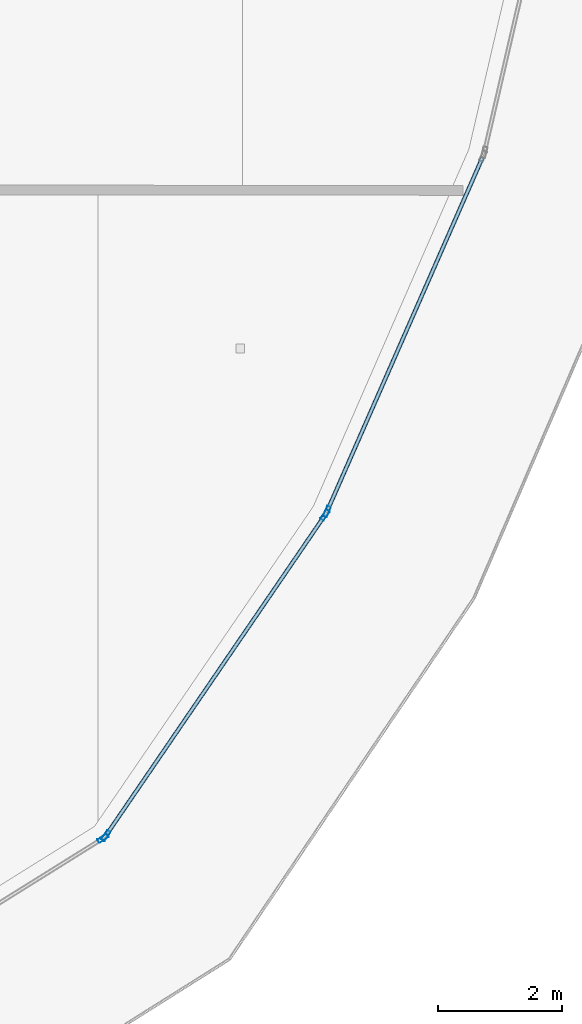
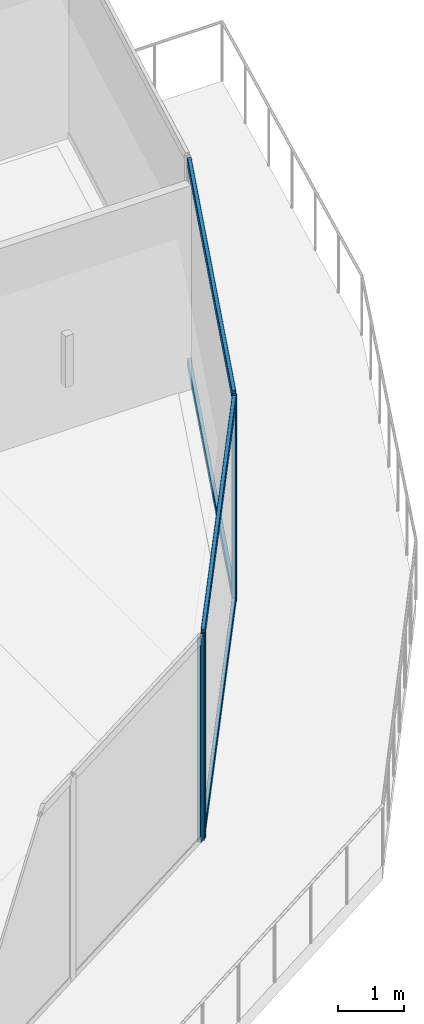
# One storey, part 11 of 37: 8 members, 3 elements without a shape of their own.
"""IFC4 building model written with IfcOpenShell, lengths in metres."""

from ifc_helpers import new_model, si_unit, direction, frame, origin, origin_2d, place, context, subcontext, project, spatial, hollow_rectangle, extrude, material, layer, layer_set, material_profile, profile_set, type_object, element, aggregate, save


model = new_model("IFC4")

# Units and contexts
model_context = context("Model", 3, precision=1e-05, world=origin(), true_north=direction((0.0, 1.0)))
body_context = subcontext(model_context, "Body", "Model", "MODEL_VIEW")
ifc_project = project(units=[si_unit("LENGTHUNIT", "METRE"), si_unit("AREAUNIT", "SQUARE_METRE"), si_unit("VOLUMEUNIT", "CUBIC_METRE"), si_unit("PLANEANGLEUNIT", "RADIAN"), si_unit("MASSUNIT", "GRAM", prefix="KILO")], contexts=[model_context])

# Site, building, storey
site_placement = place(None, origin())
site = spatial("IfcSite", under=ifc_project, at=site_placement, CompositionType="ELEMENT")
building_placement = place(site_placement, origin())
building = spatial("IfcBuilding", under=site, at=building_placement, Name="Qorvath Tower", CompositionType="ELEMENT")
storey_placement = place(building_placement, frame((0.0, 0.0, 188.85009765625)))
storey = spatial("IfcBuildingStorey", under=building, at=storey_placement, Name="L43", CompositionType="ELEMENT", Elevation=188.85009765625)

# Curtain wall, member
ifc_material_1 = material(Name="Anodised aluminium and triple low-E glass", Category="aluminium")
ifc_layer = layer(ifc_material_1, 0.179931640625)
ifc_layer_set = layer_set([ifc_layer], Name="CW-SYS-3")
curtain_wall_type = type_object("IfcCurtainWallType", Name="CW-SYS-3", PredefinedType="NOTDEFINED", material=ifc_layer_set)
curtain_wall_1_placement = place(storey_placement, origin())
curtain_wall_1 = element("IfcCurtainWall", 1, at=curtain_wall_1_placement, inside=storey, type_object=curtain_wall_type, Name="Curtain Wall CW-3 CW-T-L43-4.1", PredefinedType="NOTDEFINED")
ifc_material_2 = material(Name="Anodised aluminium 6063-T6", Category="aluminium")
ifc_material_profile_1 = material_profile(ifc_material_2, hollow_rectangle(XDim=0.06494140625, YDim=0.179931640625, WallThickness=0.00341796875, InnerFilletRadius=0.00341796875, OuterFilletRadius=0.007080078125, at=origin_2d()), Name="CWM 180x65")
ifc_profile_set_1 = profile_set([ifc_material_profile_1], Name="Anodised aluminium 6063-T6")
member_type_1 = type_object("IfcMemberType", Name="CWM-180", PredefinedType="MULLION", material=ifc_profile_set_1)
member_1_placement = place(storey_placement, frame((-5.359375, -21.82958984375, 0.0), z_axis=(0.0, 0.0, 1.0), x_axis=(-0.529252450172, 0.848464403488, 0.0)))
member_1 = element("IfcMember", 2, at=member_1_placement, type_object=member_type_1, Name="CW-3 mullion 3", PredefinedType="MULLION", context=body_context, shape_type="SweptSolid", body=[
    extrude(hollow_rectangle(XDim=0.06494140625, YDim=0.179931640625, WallThickness=0.00341796875, InnerFilletRadius=0.00341796875, OuterFilletRadius=0.007080078125, at=origin_2d()), origin(), (0.0, 0.0, 1.0), 3.77978515625),
])
aggregate(curtain_wall_1, [member_1])

# Curtain wall, members
curtain_wall_2_placement = place(storey_placement, origin())
curtain_wall_2 = element("IfcCurtainWall", 3, at=curtain_wall_2_placement, inside=storey, type_object=curtain_wall_type, Name="Curtain Wall CW-3 CW-T-L43-5.1", PredefinedType="NOTDEFINED")
member_2_placement = place(storey_placement, frame((-5.3134765625, -21.78564453125, 0.0), z_axis=(0.0, 0.0, 1.0), x_axis=(-0.825476698429, 0.564436196882, 0.0)))
member_2 = element("IfcMember", 4, at=member_2_placement, type_object=member_type_1, Name="CW-3 mullion 1", PredefinedType="MULLION", context=body_context, shape_type="SweptSolid", body=[
    extrude(hollow_rectangle(XDim=0.06494140625, YDim=0.179931640625, WallThickness=0.00341796875, InnerFilletRadius=0.00341796875, OuterFilletRadius=0.007080078125, at=origin_2d()), origin(), (0.0, 0.0, 1.0), 3.77978515625),
])
member_3_placement = place(storey_placement, frame((-1.77197265625, -16.6064453125, 0.0), z_axis=(0.0, 0.0, 1.0), x_axis=(-0.825476698429, 0.564436196882, 0.0)))
member_3 = element("IfcMember", 5, at=member_3_placement, type_object=member_type_1, Name="CW-3 mullion 2", PredefinedType="MULLION", context=body_context, shape_type="SweptSolid", body=[
    extrude(hollow_rectangle(XDim=0.06494140625, YDim=0.179931640625, WallThickness=0.00341796875, InnerFilletRadius=0.00341796875, OuterFilletRadius=0.007080078125, at=origin_2d()), origin(), (0.0, 0.0, 1.0), 3.77978515625),
])

# Curtain wall, member
curtain_wall_3_placement = place(storey_placement, origin())
curtain_wall_3 = element("IfcCurtainWall", 6, at=curtain_wall_3_placement, inside=storey, type_object=curtain_wall_type, Name="Curtain Wall CW-3 CW-T-L43-6.1", PredefinedType="NOTDEFINED")
member_4_placement = place(storey_placement, frame((-1.74072265625, -16.5498046875, 0.0), z_axis=(0.0, 0.0, 1.0), x_axis=(-0.915549117046, 0.402206183786, 0.0)))
member_4 = element("IfcMember", 7, at=member_4_placement, type_object=member_type_1, Name="CW-3 mullion 1", PredefinedType="MULLION", context=body_context, shape_type="SweptSolid", body=[
    extrude(hollow_rectangle(XDim=0.06494140625, YDim=0.179931640625, WallThickness=0.00341796875, InnerFilletRadius=0.00341796875, OuterFilletRadius=0.007080078125, at=origin_2d()), origin(), (0.0, 0.0, 1.0), 3.77978515625),
])

# Member
ifc_material_3 = material(Name="Anodised aluminium 6063-T6", Category="aluminium")
ifc_material_profile_2 = material_profile(ifc_material_3, hollow_rectangle(XDim=0.06494140625, YDim=0.159912109375, WallThickness=0.00341796875, InnerFilletRadius=0.00341796875, OuterFilletRadius=0.007080078125, at=origin_2d()), Name="CWT 160x65")
ifc_profile_set_2 = profile_set([ifc_material_profile_2], Name="Anodised aluminium 6063-T6")
member_type_2 = type_object("IfcMemberType", Name="CWT-160", PredefinedType="USERDEFINED", material=ifc_profile_set_2)
member_5_placement = place(storey_placement, frame((-5.295166015625, -21.7587890625, 0.032470703125), z_axis=(0.564461187219, 0.825459610231, 0.0), x_axis=(-0.825459610231, 0.564461187219, 0.0)))
member_5 = element("IfcMember", 8, at=member_5_placement, type_object=member_type_2, Name="CW-3 transom 1.1", ObjectType="TRANSOM", PredefinedType="USERDEFINED", context=body_context, shape_type="SweptSolid", body=[
    extrude(hollow_rectangle(XDim=0.06494140625, YDim=0.159912109375, WallThickness=0.00341796875, InnerFilletRadius=0.00341796875, OuterFilletRadius=0.007080078125, at=origin_2d()), origin(), (0.0, 0.0, 1.0), 6.209228515625),
])

member_6_placement = place(storey_placement, frame((-5.295166015625, -21.7587890625, 3.747314453125), z_axis=(0.564461187219, 0.825459610231, 0.0), x_axis=(-0.825459610231, 0.564461187219, 0.0)))
member_6 = element("IfcMember", 9, at=member_6_placement, type_object=member_type_2, Name="CW-3 transom 1.2", ObjectType="TRANSOM", PredefinedType="USERDEFINED", context=body_context, shape_type="SweptSolid", body=[
    extrude(hollow_rectangle(XDim=0.06494140625, YDim=0.159912109375, WallThickness=0.00341796875, InnerFilletRadius=0.00341796875, OuterFilletRadius=0.007080078125, at=origin_2d()), origin(), (0.0, 0.0, 1.0), 6.209228515625),
])

aggregate(curtain_wall_2, [member_2, member_3, member_5, member_6])

member_7_placement = place(storey_placement, frame((-1.7275390625, -16.52001953125, 0.032470703125), z_axis=(0.402212776663, 0.915546220728, 0.0), x_axis=(-0.915546220728, 0.402212776663, 0.0)))
member_7 = element("IfcMember", 10, at=member_7_placement, type_object=member_type_2, Name="CW-3 transom 1.1", ObjectType="TRANSOM", PredefinedType="USERDEFINED", context=body_context, shape_type="SweptSolid", body=[
    extrude(hollow_rectangle(XDim=0.06494140625, YDim=0.159912109375, WallThickness=0.00341796875, InnerFilletRadius=0.00341796875, OuterFilletRadius=0.007080078125, at=origin_2d()), origin(), (0.0, 0.0, 1.0), 6.208984375),
])

member_8_placement = place(storey_placement, frame((-1.7275390625, -16.52001953125, 3.747314453125), z_axis=(0.402212776663, 0.915546220728, 0.0), x_axis=(-0.915546220728, 0.402212776663, 0.0)))
member_8 = element("IfcMember", 11, at=member_8_placement, type_object=member_type_2, Name="CW-3 transom 1.2", ObjectType="TRANSOM", PredefinedType="USERDEFINED", context=body_context, shape_type="SweptSolid", body=[
    extrude(hollow_rectangle(XDim=0.06494140625, YDim=0.159912109375, WallThickness=0.00341796875, InnerFilletRadius=0.00341796875, OuterFilletRadius=0.007080078125, at=origin_2d()), origin(), (0.0, 0.0, 1.0), 6.208984375),
])

aggregate(curtain_wall_3, [member_4, member_7, member_8])

save(model, "model.ifc")
